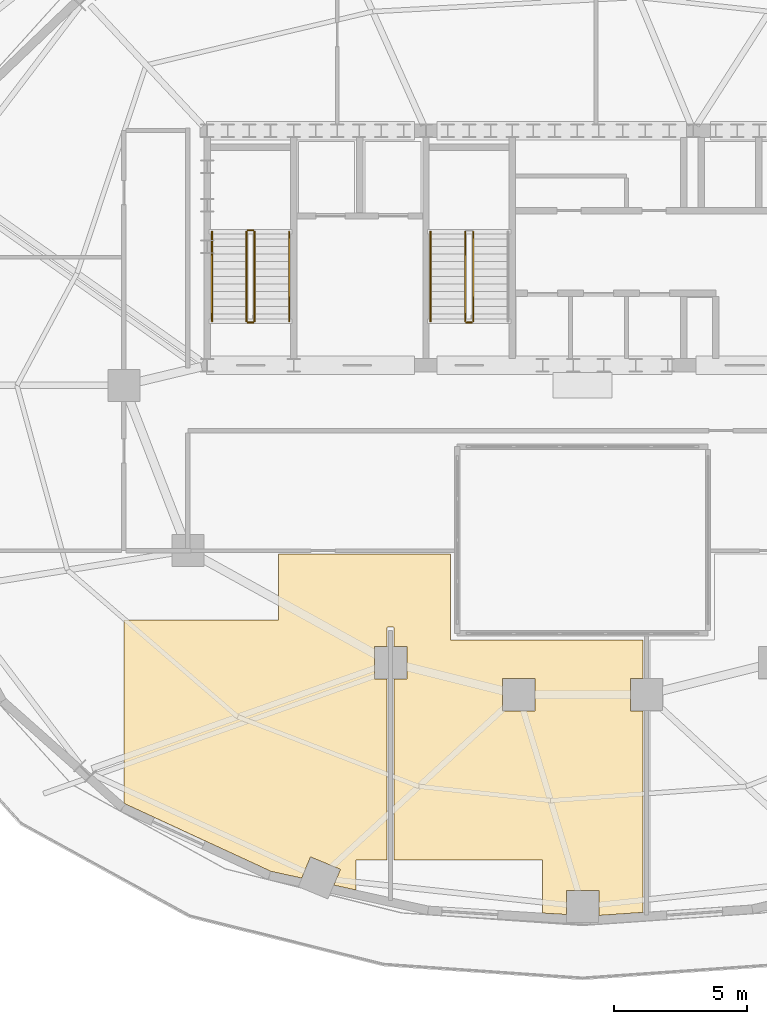
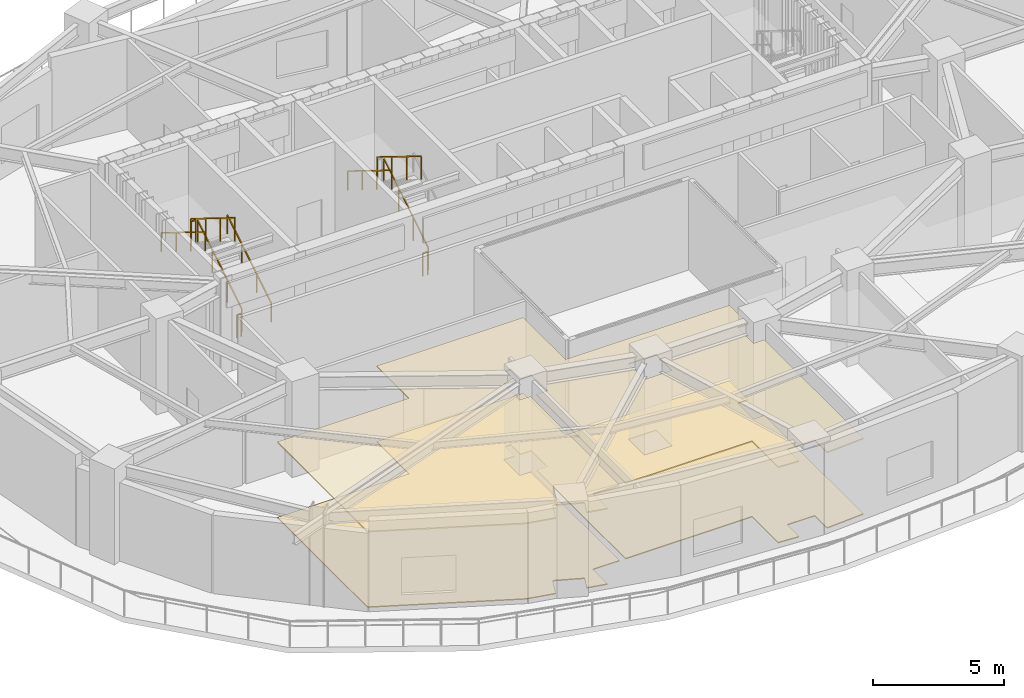
# One storey, part 9 of 11: 10 railings, 2 coverings.
"""IFC4 building model written with IfcOpenShell, lengths in metres."""

from ifc_helpers import new_model, si_unit, direction, frame, origin, origin_2d, place, context, subcontext, project, spatial, polyline, rectangle, outline, extrude, material, layer, layer_set, type_object, element, save


model = new_model("IFC4")

# Units and contexts
model_context = context("Model", 3, precision=1e-05, world=origin(), true_north=direction((0.0, 1.0)))
body_context = subcontext(model_context, "Body", "Model", "MODEL_VIEW")
ifc_project = project(units=[si_unit("LENGTHUNIT", "METRE"), si_unit("AREAUNIT", "SQUARE_METRE"), si_unit("VOLUMEUNIT", "CUBIC_METRE"), si_unit("PLANEANGLEUNIT", "RADIAN"), si_unit("MASSUNIT", "GRAM", prefix="KILO")], contexts=[model_context])

# Site, building, storey
site_placement = place(None, origin())
site = spatial("IfcSite", under=ifc_project, at=site_placement, CompositionType="ELEMENT")
building_placement = place(site_placement, origin())
building = spatial("IfcBuilding", under=site, at=building_placement, Name="Haldorwick Loom Tower", CompositionType="ELEMENT")
storey_placement = place(building_placement, frame((0.0, 0.0, 131.14990234375)))
storey = spatial("IfcBuildingStorey", under=building, at=storey_placement, Name="L35", CompositionType="ELEMENT", Elevation=131.14990234375)

# Coverings
ifc_material_1 = material(Name="Mineral Fibre Acoustic Ceiling Tile")
ifc_layer_1 = layer(ifc_material_1, 0.054931640625, Name="Mineral Fibre Acoustic Ceiling Tile")
ifc_layer_set_1 = layer_set([ifc_layer_1], Name="Mineral Fibre Acoustic Ceiling Tile")
covering_type_1 = type_object("IfcCoveringType", Name="ARC-COV-CEIL2", PredefinedType="CEILING", material=ifc_layer_set_1)
covering_1_placement = place(storey_placement, frame((0.0, 0.0, 3.508056640625)))
element("IfcCovering", 1, at=covering_1_placement, inside=storey, type_object=covering_type_1, Name="L35 Acoustic Suspended Ceiling 1", PredefinedType="CEILING", context=body_context, shape_type="SweptSolid", body=[
    extrude(outline(polyline([(38.27001953125, 6.23681640625), (38.27001953125, 13.7919921875), (37.7919921875, 13.7919921875), (37.7919921875, 15.008056640625), (38.27001953125, 15.008056640625), (38.27001953125, 16.449951171875), (31.050048828125, 16.449951171875), (31.050048828125, 19.669921875), (24.60009765625, 19.669921875), (24.60009765625, 17.199951171875), (18.800048828125, 17.199951171875), (18.800048828125, 10.347412109375), (18.84912109375, 10.303955078125), (24.31396484375, 7.776123046875), (25.46875, 7.5224609375), (25.7978515625, 8.31689453125), (26.921142578125, 7.851318359375), (26.67529296875, 7.257568359375), (27.5, 7.076416015625), (27.5, 8.199951171875), (28.669921875, 8.199951171875), (28.669921875, 14.991943359375), (28.19189453125, 14.991943359375), (28.19189453125, 16.2080078125), (28.669921875, 16.2080078125), (28.669921875, 16.909912109375), (28.670166015625, 16.912109375), (28.67041015625, 16.913818359375), (28.6708984375, 16.915771484375), (28.67138671875, 16.917724609375), (28.67236328125, 16.91943359375), (28.67333984375, 16.921142578125), (28.674560546875, 16.922607421875), (28.67578125, 16.924072265625), (28.67724609375, 16.925537109375), (28.678955078125, 16.926513671875), (28.6806640625, 16.927490234375), (28.682373046875, 16.928466796875), (28.68408203125, 16.92919921875), (28.68603515625, 16.9296875), (28.68798828125, 16.929931640625), (28.68994140625, 16.929931640625), (28.909912109375, 16.929931640625), (28.912109375, 16.929931640625), (28.913818359375, 16.9296875), (28.915771484375, 16.92919921875), (28.917724609375, 16.928466796875), (28.91943359375, 16.927490234375), (28.921142578125, 16.926513671875), (28.922607421875, 16.925537109375), (28.924072265625, 16.924072265625), (28.925537109375, 16.922607421875), (28.926513671875, 16.921142578125), (28.927490234375, 16.91943359375), (28.928466796875, 16.917724609375), (28.92919921875, 16.915771484375), (28.9296875, 16.913818359375), (28.929931640625, 16.912109375), (28.929931640625, 16.909912109375), (28.929931640625, 16.2080078125), (29.407958984375, 16.2080078125), (29.407958984375, 14.991943359375), (28.929931640625, 14.991943359375), (28.929931640625, 8.199951171875), (34.5, 8.199951171875), (34.5, 6.2119140625), (35.39208984375, 6.15625), (35.39208984375, 7.0634765625), (36.60791015625, 7.0634765625), (36.60791015625, 6.122802734375), (38.27001953125, 6.23681640625)]), holes=[polyline([(34.2080078125, 15.008056640625), (34.2080078125, 13.7919921875), (32.991943359375, 13.7919921875), (32.991943359375, 15.008056640625), (34.2080078125, 15.008056640625)])]), origin(), (0.0, 0.0, 1.0), 0.054931640625),
])
ifc_material_2 = material(Name="Polished Aggregate Terrazzo Finish")
ifc_layer_2 = layer(ifc_material_2, 0.044921875, Name="Polished Aggregate Terrazzo Finish")
ifc_layer_set_2 = layer_set([ifc_layer_2], Name="Polished Aggregate Terrazzo Finish")
covering_type_2 = type_object("IfcCoveringType", Name="ARC-COV-FLOOR2", PredefinedType="FLOORING", material=ifc_layer_set_2)
covering_2_placement = place(storey_placement, origin())
element("IfcCovering", 2, at=covering_2_placement, inside=storey, type_object=covering_type_2, Name="L35 Floor Finish 1", PredefinedType="FLOORING", context=body_context, shape_type="SweptSolid", body=[
    extrude(outline(polyline([(38.27001953125, 6.23681640625), (38.27001953125, 13.7919921875), (37.7919921875, 13.7919921875), (37.7919921875, 15.008056640625), (38.27001953125, 15.008056640625), (38.27001953125, 16.449951171875), (31.050048828125, 16.449951171875), (31.050048828125, 19.669921875), (24.60009765625, 19.669921875), (24.60009765625, 17.199951171875), (18.800048828125, 17.199951171875), (18.800048828125, 10.347412109375), (18.84912109375, 10.303955078125), (24.31396484375, 7.776123046875), (25.46875, 7.5224609375), (25.7978515625, 8.31689453125), (26.921142578125, 7.851318359375), (26.67529296875, 7.257568359375), (27.5, 7.076416015625), (27.5, 8.199951171875), (28.669921875, 8.199951171875), (28.669921875, 14.991943359375), (28.19189453125, 14.991943359375), (28.19189453125, 16.2080078125), (28.669921875, 16.2080078125), (28.669921875, 16.909912109375), (28.670166015625, 16.912109375), (28.67041015625, 16.913818359375), (28.6708984375, 16.915771484375), (28.67138671875, 16.917724609375), (28.67236328125, 16.91943359375), (28.67333984375, 16.921142578125), (28.674560546875, 16.922607421875), (28.67578125, 16.924072265625), (28.67724609375, 16.925537109375), (28.678955078125, 16.926513671875), (28.6806640625, 16.927490234375), (28.682373046875, 16.928466796875), (28.68408203125, 16.92919921875), (28.68603515625, 16.9296875), (28.68798828125, 16.929931640625), (28.68994140625, 16.929931640625), (28.909912109375, 16.929931640625), (28.912109375, 16.929931640625), (28.913818359375, 16.9296875), (28.915771484375, 16.92919921875), (28.917724609375, 16.928466796875), (28.91943359375, 16.927490234375), (28.921142578125, 16.926513671875), (28.922607421875, 16.925537109375), (28.924072265625, 16.924072265625), (28.925537109375, 16.922607421875), (28.926513671875, 16.921142578125), (28.927490234375, 16.91943359375), (28.928466796875, 16.917724609375), (28.92919921875, 16.915771484375), (28.9296875, 16.913818359375), (28.929931640625, 16.912109375), (28.929931640625, 16.909912109375), (28.929931640625, 16.2080078125), (29.407958984375, 16.2080078125), (29.407958984375, 14.991943359375), (28.929931640625, 14.991943359375), (28.929931640625, 8.199951171875), (34.5, 8.199951171875), (34.5, 6.2119140625), (35.39208984375, 6.15625), (35.39208984375, 7.0634765625), (36.60791015625, 7.0634765625), (36.60791015625, 6.122802734375), (38.27001953125, 6.23681640625)]), holes=[polyline([(34.2080078125, 15.008056640625), (34.2080078125, 13.7919921875), (32.991943359375, 13.7919921875), (32.991943359375, 15.008056640625), (34.2080078125, 15.008056640625)])]), origin(), (0.0, 0.0, 1.0), 0.045166015625),
])

# Railings
ifc_material_3 = material(Name="Steel CSA G40.21 350W", Category="steel")
railing_type_1 = type_object("IfcRailingType", Name="ARC-RLG-GUARD112", PredefinedType="GUARDRAIL", material=ifc_material_3)
railing_1_placement = place(storey_placement, frame((23.699951171875, 28.39990234375, 0.173095703125)))
element("IfcRailing", 3, at=railing_1_placement, inside=storey, type_object=railing_type_1, Name="L35 ST-01 stair guard 1", PredefinedType="GUARDRAIL", context=body_context, shape_type="SweptSolid", body=[
    extrude(rectangle(XDim=0.048095703125, YDim=0.048095703125, at=origin_2d()), frame((0.0, 0.0, 1.076171875), z_axis=(0.0, 0.850623216509, 0.525775754039), x_axis=(-1.0, 0.0, 0.0)), (0.0, 0.0, 1.0), 3.9501953125),
    extrude(rectangle(XDim=0.0419921875, YDim=0.0419921875, at=origin_2d()), origin(), (0.0, 0.0, 1.0), 1.052001953125),
    extrude(rectangle(XDim=0.0419921875, YDim=0.0419921875, at=origin_2d()), frame((0.0, 1.1201171875, 0.6923828125)), (0.0, 0.0, 1.0), 1.052001953125),
    extrude(rectangle(XDim=0.0419921875, YDim=0.0419921875, at=origin_2d()), frame((0.0, 2.239990234375, 1.384521484375)), (0.0, 0.0, 1.0), 1.052001953125),
    extrude(rectangle(XDim=0.0419921875, YDim=0.0419921875, at=origin_2d()), frame((0.0, 3.360107421875, 2.076904296875)), (0.0, 0.0, 1.0), 1.052001953125),
])
railing_2_placement = place(storey_placement, frame((23.64990234375, 31.81005859375, 2.25)))
element("IfcRailing", 4, at=railing_2_placement, inside=storey, type_object=railing_type_1, Name="L35 ST-01 stair guard 2", PredefinedType="GUARDRAIL", context=body_context, shape_type="SweptSolid", body=[
    extrude(rectangle(XDim=0.048095703125, YDim=0.048095703125, at=origin_2d()), frame((0.0, 0.0, 1.076171875), z_axis=(-1.0, 0.0, 0.0), x_axis=(0.0, -1.0, 0.0)), (0.0, 0.0, 1.0), 0.199951171875),
    extrude(rectangle(XDim=0.0419921875, YDim=0.0419921875, at=origin_2d()), origin(), (0.0, 0.0, 1.0), 1.052001953125),
    extrude(rectangle(XDim=0.0419921875, YDim=0.0419921875, at=origin_2d()), frame((-0.199951171875, 0.0, 0.0)), (0.0, 0.0, 1.0), 1.052001953125),
])
railing_3_placement = place(storey_placement, frame((23.39990234375, 31.760009765625, 2.423095703125)))
element("IfcRailing", 5, at=railing_3_placement, inside=storey, type_object=railing_type_1, Name="L35 ST-01 stair guard 3", PredefinedType="GUARDRAIL", context=body_context, shape_type="SweptSolid", body=[
    extrude(rectangle(XDim=0.048095703125, YDim=0.048095703125, at=origin_2d()), frame((0.0, 0.0, 1.076171875), z_axis=(0.0, -0.850623216509, 0.525775754039), x_axis=(1.0, 0.0, 0.0)), (0.0, 0.0, 1.0), 3.9501953125),
    extrude(rectangle(XDim=0.0419921875, YDim=0.0419921875, at=origin_2d()), origin(), (0.0, 0.0, 1.0), 1.052001953125),
    extrude(rectangle(XDim=0.0419921875, YDim=0.0419921875, at=origin_2d()), frame((0.0, -1.1201171875, 0.6923828125)), (0.0, 0.0, 1.0), 1.052001953125),
    extrude(rectangle(XDim=0.0419921875, YDim=0.0419921875, at=origin_2d()), frame((0.0, -2.239990234375, 1.384521484375)), (0.0, 0.0, 1.0), 1.052001953125),
    extrude(rectangle(XDim=0.0419921875, YDim=0.0419921875, at=origin_2d()), frame((0.0, -3.360107421875, 2.076904296875)), (0.0, 0.0, 1.0), 1.052001953125),
])
railing_4_placement = place(storey_placement, frame((23.64990234375, 28.35009765625, 0.0)))
element("IfcRailing", 6, at=railing_4_placement, inside=storey, type_object=railing_type_1, Name="L35 ST-01 stair guard 4", PredefinedType="GUARDRAIL", context=body_context, shape_type="SweptSolid", body=[
    extrude(rectangle(XDim=0.048095703125, YDim=0.048095703125, at=origin_2d()), frame((0.0, 0.0, 1.076171875), z_axis=(-1.0, 0.0, 0.0), x_axis=(0.0, -1.0, 0.0)), (0.0, 0.0, 1.0), 0.199951171875),
    extrude(rectangle(XDim=0.0419921875, YDim=0.0419921875, at=origin_2d()), origin(), (0.0, 0.0, 1.0), 1.052001953125),
    extrude(rectangle(XDim=0.0419921875, YDim=0.0419921875, at=origin_2d()), frame((-0.199951171875, 0.0, 0.0)), (0.0, 0.0, 1.0), 1.052001953125),
])
railing_5_placement = place(storey_placement, frame((31.89990234375, 28.39990234375, 0.173095703125)))
element("IfcRailing", 7, at=railing_5_placement, inside=storey, type_object=railing_type_1, Name="L35 ST-03 stair guard 1", PredefinedType="GUARDRAIL", context=body_context, shape_type="SweptSolid", body=[
    extrude(rectangle(XDim=0.048095703125, YDim=0.048095703125, at=origin_2d()), frame((0.0, 0.0, 1.076171875), z_axis=(0.0, 0.850623216509, 0.525775754039), x_axis=(-1.0, 0.0, 0.0)), (0.0, 0.0, 1.0), 3.9501953125),
    extrude(rectangle(XDim=0.0419921875, YDim=0.0419921875, at=origin_2d()), origin(), (0.0, 0.0, 1.0), 1.052001953125),
    extrude(rectangle(XDim=0.0419921875, YDim=0.0419921875, at=origin_2d()), frame((0.0, 1.1201171875, 0.6923828125)), (0.0, 0.0, 1.0), 1.052001953125),
    extrude(rectangle(XDim=0.0419921875, YDim=0.0419921875, at=origin_2d()), frame((0.0, 2.239990234375, 1.384521484375)), (0.0, 0.0, 1.0), 1.052001953125),
    extrude(rectangle(XDim=0.0419921875, YDim=0.0419921875, at=origin_2d()), frame((0.0, 3.360107421875, 2.076904296875)), (0.0, 0.0, 1.0), 1.052001953125),
])
railing_6_placement = place(storey_placement, frame((31.60009765625, 31.760009765625, 2.423095703125)))
element("IfcRailing", 8, at=railing_6_placement, inside=storey, type_object=railing_type_1, Name="L35 ST-03 stair guard 3", PredefinedType="GUARDRAIL", context=body_context, shape_type="SweptSolid", body=[
    extrude(rectangle(XDim=0.048095703125, YDim=0.048095703125, at=origin_2d()), frame((0.0, 0.0, 1.076171875), z_axis=(0.0, -0.850623216509, 0.525775754039), x_axis=(1.0, 0.0, 0.0)), (0.0, 0.0, 1.0), 3.9501953125),
    extrude(rectangle(XDim=0.0419921875, YDim=0.0419921875, at=origin_2d()), origin(), (0.0, 0.0, 1.0), 1.052001953125),
    extrude(rectangle(XDim=0.0419921875, YDim=0.0419921875, at=origin_2d()), frame((0.0, -1.1201171875, 0.6923828125)), (0.0, 0.0, 1.0), 1.052001953125),
    extrude(rectangle(XDim=0.0419921875, YDim=0.0419921875, at=origin_2d()), frame((0.0, -2.239990234375, 1.384521484375)), (0.0, 0.0, 1.0), 1.052001953125),
    extrude(rectangle(XDim=0.0419921875, YDim=0.0419921875, at=origin_2d()), frame((0.0, -3.360107421875, 2.076904296875)), (0.0, 0.0, 1.0), 1.052001953125),
])
railing_7_placement = place(storey_placement, frame((31.85009765625, 28.35009765625, 0.0)))
element("IfcRailing", 9, at=railing_7_placement, inside=storey, type_object=railing_type_1, Name="L35 ST-03 stair guard 4", PredefinedType="GUARDRAIL", context=body_context, shape_type="SweptSolid", body=[
    extrude(rectangle(XDim=0.048095703125, YDim=0.048095703125, at=origin_2d()), frame((0.0, 0.0, 1.076171875), z_axis=(-1.0, 0.0, 0.0), x_axis=(0.0, -1.0, 0.0)), (0.0, 0.0, 1.0), 0.2001953125),
    extrude(rectangle(XDim=0.0419921875, YDim=0.0419921875, at=origin_2d()), origin(), (0.0, 0.0, 1.0), 1.052001953125),
    extrude(rectangle(XDim=0.0419921875, YDim=0.0419921875, at=origin_2d()), frame((-0.2001953125, 0.0, 0.0)), (0.0, 0.0, 1.0), 1.052001953125),
])
railing_type_2 = type_object("IfcRailingType", Name="ARC-RLG-HAND092", PredefinedType="HANDRAIL", material=ifc_material_3)
railing_8_placement = place(storey_placement, frame((25.0, 28.39990234375, 0.173095703125)))
element("IfcRailing", 10, at=railing_8_placement, inside=storey, type_object=railing_type_2, Name="L35 ST-01 stair handrail 1", PredefinedType="HANDRAIL", context=body_context, shape_type="SweptSolid", body=[
    extrude(rectangle(XDim=0.048095703125, YDim=0.048095703125, at=origin_2d()), frame((0.0, 0.0, 0.8759765625), z_axis=(0.0, 0.850623216509, 0.525775754039), x_axis=(-1.0, 0.0, 0.0)), (0.0, 0.0, 1.0), 3.9501953125),
    extrude(rectangle(XDim=0.0419921875, YDim=0.0419921875, at=origin_2d()), origin(), (0.0, 0.0, 1.0), 0.851806640625),
    extrude(rectangle(XDim=0.0419921875, YDim=0.0419921875, at=origin_2d()), frame((0.0, 1.1201171875, 0.6923828125)), (0.0, 0.0, 1.0), 0.851806640625),
    extrude(rectangle(XDim=0.0419921875, YDim=0.0419921875, at=origin_2d()), frame((0.0, 2.239990234375, 1.384521484375)), (0.0, 0.0, 1.0), 0.851806640625),
    extrude(rectangle(XDim=0.0419921875, YDim=0.0419921875, at=origin_2d()), frame((0.0, 3.360107421875, 2.076904296875)), (0.0, 0.0, 1.0), 0.851806640625),
])
for number, where, name in (
    (11, (22.10009765625, 31.760009765625, 2.423095703125), "L35 ST-01 stair handrail 2"),
    (12, (30.300048828125, 31.760009765625, 2.423095703125), "L35 ST-03 stair handrail 2"),
):
    element("IfcRailing", number, at=place(storey_placement, frame(where)), inside=storey, type_object=railing_type_2, Name=name, PredefinedType="HANDRAIL", context=body_context, shape_type="SweptSolid", body=[
        extrude(rectangle(XDim=0.048095703125, YDim=0.048095703125, at=origin_2d()), frame((0.0, 0.0, 0.8759765625), z_axis=(0.0, -0.850623216509, 0.525775754039), x_axis=(1.0, 0.0, 0.0)), (0.0, 0.0, 1.0), 3.9501953125),
        extrude(rectangle(XDim=0.0419921875, YDim=0.0419921875, at=origin_2d()), origin(), (0.0, 0.0, 1.0), 0.851806640625),
        extrude(rectangle(XDim=0.0419921875, YDim=0.0419921875, at=origin_2d()), frame((0.0, -1.1201171875, 0.6923828125)), (0.0, 0.0, 1.0), 0.851806640625),
        extrude(rectangle(XDim=0.0419921875, YDim=0.0419921875, at=origin_2d()), frame((0.0, -2.239990234375, 1.384521484375)), (0.0, 0.0, 1.0), 0.851806640625),
        extrude(rectangle(XDim=0.0419921875, YDim=0.0419921875, at=origin_2d()), frame((0.0, -3.360107421875, 2.076904296875)), (0.0, 0.0, 1.0), 0.851806640625),
    ])

save(model, "model.ifc")
